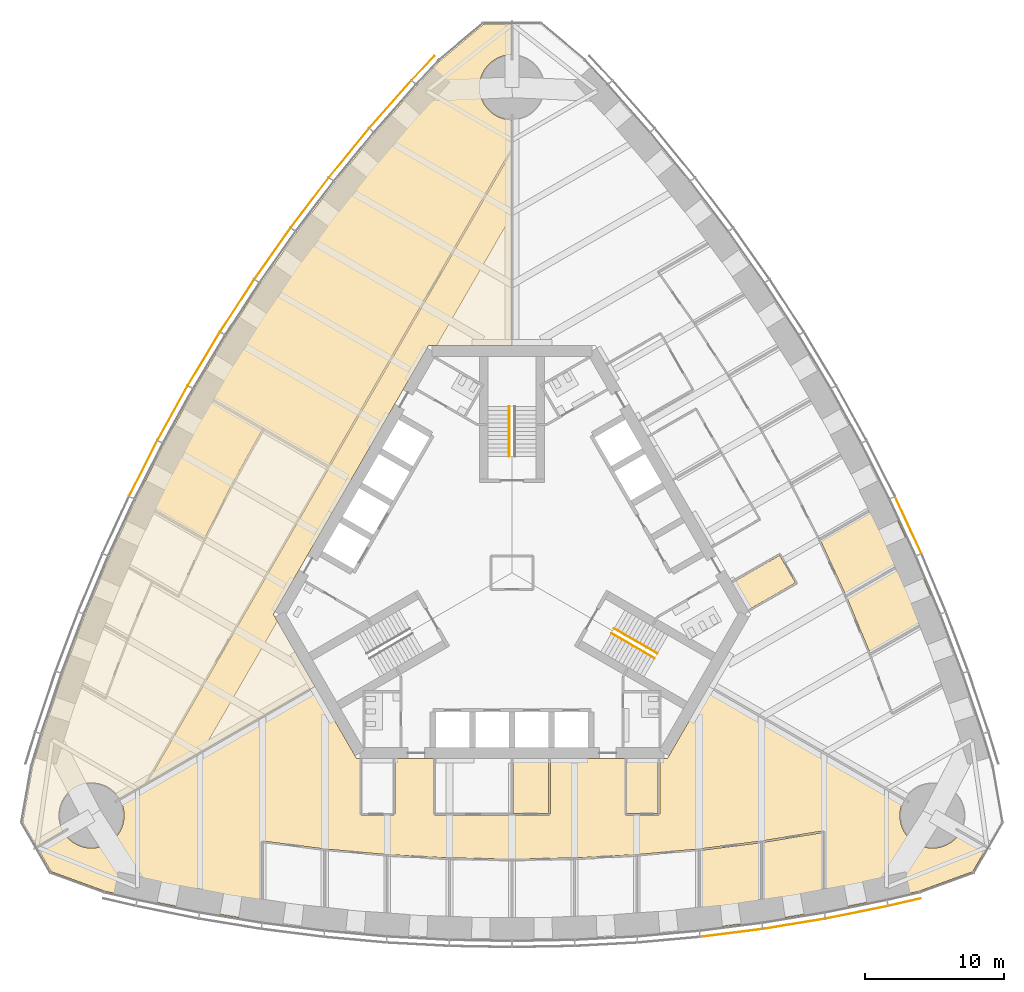
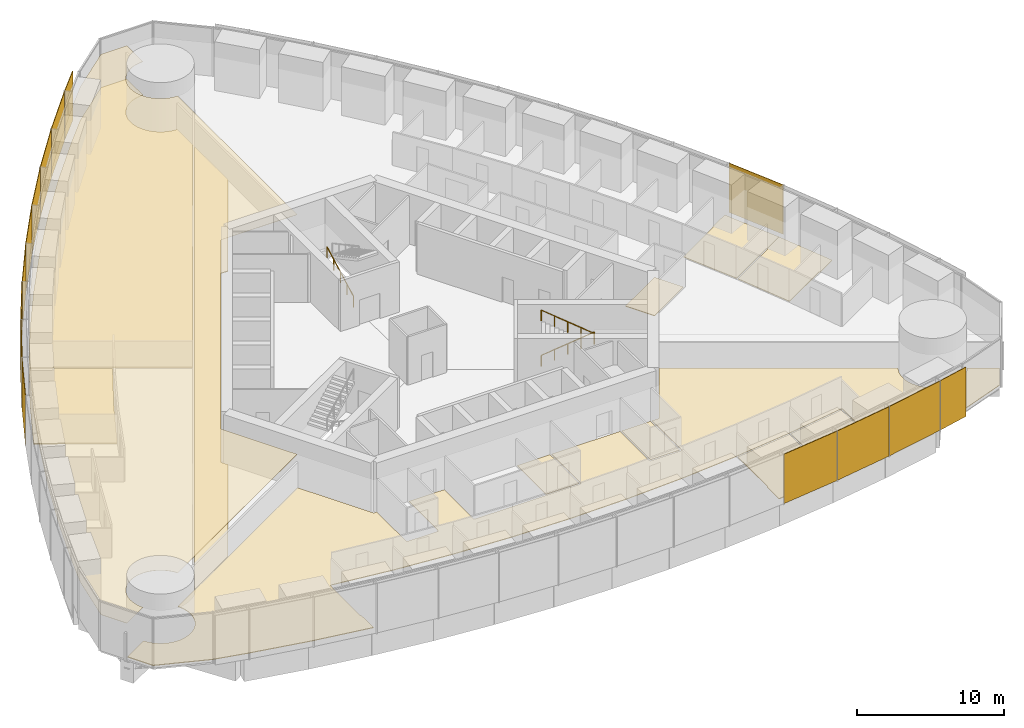
# One storey, part 17 of 20: 14 shading devices, 12 coverings, 3 railings.
"""IFC4 building model written with IfcOpenShell, lengths in metres."""

from ifc_helpers import new_model, si_unit, direction, frame, origin, origin_2d, place, context, subcontext, project, spatial, polyline, rectangle, circle, outline, extrude, material, layer, layer_set, type_object, element, save


model = new_model("IFC4")

# Units and contexts
model_context = context("Model", 3, precision=1e-05, world=origin(), true_north=direction((0.0, 1.0)))
body_context = subcontext(model_context, "Body", "Model", "MODEL_VIEW")
ifc_project = project(units=[si_unit("LENGTHUNIT", "METRE"), si_unit("AREAUNIT", "SQUARE_METRE"), si_unit("VOLUMEUNIT", "CUBIC_METRE"), si_unit("PLANEANGLEUNIT", "RADIAN"), si_unit("MASSUNIT", "GRAM", prefix="KILO")], contexts=[model_context])

# Site, building, storey
site_placement = place(None, origin())
site = spatial("IfcSite", under=ifc_project, at=site_placement, CompositionType="ELEMENT")
building_placement = place(site_placement, origin())
building = spatial("IfcBuilding", under=site, at=building_placement, Name="Trefoil Bronze Tower", CompositionType="ELEMENT")
storey_placement = place(building_placement, frame((0.0, 0.0, 103.10009765625)))
storey = spatial("IfcBuildingStorey", under=building, at=storey_placement, Name="L23", CompositionType="ELEMENT", Elevation=103.10009765625)

# Shading devices
ifc_material_1 = material(Name="Perforated bronze sheet", Category="bronze")
ifc_layer_1 = layer(ifc_material_1, 0.0400390625)
ifc_layer_set_1 = layer_set([ifc_layer_1], Name="Bronze solar screen panel")
shading_device_type = type_object("IfcShadingDeviceType", Name="Bronze solar screen panel", PredefinedType="SHUTTER", material=ifc_layer_set_1)
shading_device_1_placement = place(storey_placement, frame((15.818115234375, -25.96728515625, 0.0498046875), z_axis=(0.0, 0.0, 1.0), x_axis=(0.992011554286, 0.126147041833, 0.0)))
element("IfcShadingDevice", 1, at=shading_device_1_placement, inside=storey, type_object=shading_device_type, Name="Solar screen CW-A L23 F1 bay 11", PredefinedType="SHUTTER", context=body_context, shape_type="SweptSolid", body=[
    extrude(rectangle(XDim=4.50634765625, YDim=0.0400390625, at=origin_2d()), origin(), (0.0, 0.0, 1.0), 4.10009765625),
])
shading_device_2_placement = place(storey_placement, frame((20.337646484375, -25.30859375, 0.0498046875), z_axis=(0.0, 0.0, 1.0), x_axis=(0.986759655731, 0.162189339418, 0.0)))
element("IfcShadingDevice", 2, at=shading_device_2_placement, inside=storey, type_object=shading_device_type, Name="Solar screen CW-A L23 F1 bay 12", PredefinedType="SHUTTER", context=body_context, shape_type="SweptSolid", body=[
    extrude(rectangle(XDim=4.5302734375, YDim=0.0400390625, at=origin_2d()), origin(), (0.0, 0.0, 1.0), 4.10009765625),
])
shading_device_3_placement = place(storey_placement, frame((24.85693359375, -24.480224609375, 0.0498046875), z_axis=(0.0, 0.0, 1.0), x_axis=(0.980155155547, 0.198231861853, 0.0)))
element("IfcShadingDevice", 3, at=shading_device_3_placement, inside=storey, type_object=shading_device_type, Name="Solar screen CW-A L23 F1 bay 13", PredefinedType="SHUTTER", context=body_context, shape_type="SweptSolid", body=[
    extrude(rectangle(XDim=4.56103515625, YDim=0.0400390625, at=origin_2d()), origin(), (0.0, 0.0, 1.0), 4.10009765625),
])
shading_device_4_placement = place(storey_placement, frame((28.30078125, -23.748779296875, 0.0498046875), z_axis=(0.0, 0.0, 1.0), x_axis=(0.97420444715, 0.225667222151, 0.0)))
element("IfcShadingDevice", 4, at=shading_device_4_placement, inside=storey, type_object=shading_device_type, Name="Solar screen CW-A L23 F1 bay 14", PredefinedType="SHUTTER", context=body_context, shape_type="SweptSolid", body=[
    extrude(rectangle(XDim=2.39013671875, YDim=0.0400390625, at=origin_2d()), origin(), (0.0, 0.0, 1.0), 4.10009765625),
])
shading_device_5_placement = place(storey_placement, frame((28.563720703125, 3.444580078125, 0.0498046875), z_axis=(0.0, 0.0, 1.0), x_axis=(-0.419932995871, 0.907555110712, 0.0)))
element("IfcShadingDevice", 5, at=shading_device_5_placement, inside=storey, type_object=shading_device_type, Name="Solar screen CW-A L23 F2 bay 5", PredefinedType="SHUTTER", context=body_context, shape_type="SweptSolid", body=[
    extrude(rectangle(XDim=4.48828125, YDim=0.0400390625, at=origin_2d()), origin(), (0.0, 0.0, 1.0), 4.10009765625),
])
shading_device_6_placement = place(storey_placement, frame((-6.416748046875, 36.383544921875, 0.0498046875), z_axis=(0.0, 0.0, 1.0), x_axis=(-0.682535770759, -0.730852188636, 0.0)))
element("IfcShadingDevice", 6, at=shading_device_6_placement, inside=storey, type_object=shading_device_type, Name="Solar screen CW-A L23 F3 bay 1", PredefinedType="SHUTTER", context=body_context, shape_type="SweptSolid", body=[
    extrude(rectangle(XDim=2.39013671875, YDim=0.0400390625, at=origin_2d()), origin(), (0.0, 0.0, 1.0), 4.10009765625),
])
shading_device_7_placement = place(storey_placement, frame((-8.77197265625, 33.766845703125, 0.0498046875), z_axis=(0.0, 0.0, 1.0), x_axis=(-0.661751405978, -0.749723333428, 0.0)))
element("IfcShadingDevice", 7, at=shading_device_7_placement, inside=storey, type_object=shading_device_type, Name="Solar screen CW-A L23 F3 bay 2", PredefinedType="SHUTTER", context=body_context, shape_type="SweptSolid", body=[
    extrude(rectangle(XDim=4.56103515625, YDim=0.0400390625, at=origin_2d()), origin(), (0.0, 0.0, 1.0), 4.10009765625),
])
shading_device_8_placement = place(storey_placement, frame((-11.7490234375, 30.26708984375, 0.0498046875), z_axis=(0.0, 0.0, 1.0), x_axis=(-0.633839916024, -0.773464259584, 0.0)))
element("IfcShadingDevice", 8, at=shading_device_8_placement, inside=storey, type_object=shading_device_type, Name="Solar screen CW-A L23 F3 bay 3", PredefinedType="SHUTTER", context=body_context, shape_type="SweptSolid", body=[
    extrude(rectangle(XDim=4.5302734375, YDim=0.0400390625, at=origin_2d()), origin(), (0.0, 0.0, 1.0), 4.10009765625),
])
shading_device_9_placement = place(storey_placement, frame((-14.579345703125, 26.6826171875, 0.0498046875), z_axis=(0.0, 0.0, 1.0), x_axis=(-0.605252319983, -0.796033685943, 0.0)))
element("IfcShadingDevice", 9, at=shading_device_9_placement, inside=storey, type_object=shading_device_type, Name="Solar screen CW-A L23 F3 bay 4", PredefinedType="SHUTTER", context=body_context, shape_type="SweptSolid", body=[
    extrude(rectangle(XDim=4.50634765625, YDim=0.0400390625, at=origin_2d()), origin(), (0.0, 0.0, 1.0), 4.10009765625),
])
shading_device_10_placement = place(storey_placement, frame((-17.264892578125, 23.014404296875, 0.0498046875), z_axis=(0.0, 0.0, 1.0), x_axis=(-0.575999283275, -0.817450197667, 0.0)))
element("IfcShadingDevice", 10, at=shading_device_10_placement, inside=storey, type_object=shading_device_type, Name="Solar screen CW-A L23 F3 bay 5", PredefinedType="SHUTTER", context=body_context, shape_type="SweptSolid", body=[
    extrude(rectangle(XDim=4.48828125, YDim=0.0400390625, at=origin_2d()), origin(), (0.0, 0.0, 1.0), 4.10009765625),
])
shading_device_11_placement = place(storey_placement, frame((-19.8076171875, 19.263916015625, 0.0498046875), z_axis=(0.0, 0.0, 1.0), x_axis=(-0.546088612237, -0.837727418427, 0.0)))
element("IfcShadingDevice", 11, at=shading_device_11_placement, inside=storey, type_object=shading_device_type, Name="Solar screen CW-A L23 F3 bay 6", PredefinedType="SHUTTER", context=body_context, shape_type="SweptSolid", body=[
    extrude(rectangle(XDim=4.4765625, YDim=0.0400390625, at=origin_2d()), origin(), (0.0, 0.0, 1.0), 4.10009765625),
])
for number, where, z_axis, x_axis, name in (
    (12, (-22.208740234375, 15.431396484375, 0.0498046875), (0.0, 0.0, 1.0), (-0.515525413486, -0.856874289526, 0.0), "Solar screen CW-A L23 F3 bay 7"),
    (13, (-24.468505859375, 11.517578125, 0.0498046875), (0.0, 0.0, 1.0), (-0.484312195836, -0.874895249138, 0.0), "Solar screen CW-A L23 F3 bay 8"),
):
    element("IfcShadingDevice", number, at=place(storey_placement, frame(where, z_axis=z_axis, x_axis=x_axis)), inside=storey, type_object=shading_device_type, Name=name, PredefinedType="SHUTTER", context=body_context, shape_type="SweptSolid", body=[
        extrude(rectangle(XDim=4.470703125, YDim=0.0400390625, at=origin_2d()), origin(), (0.0, 0.0, 1.0), 4.10009765625),
    ])
shading_device_12_placement = place(storey_placement, frame((-26.5869140625, 7.52197265625, 0.0498046875), z_axis=(0.0, 0.0, 1.0), x_axis=(-0.452448919686, -0.891790320128, 0.0)))
element("IfcShadingDevice", 14, at=shading_device_12_placement, inside=storey, type_object=shading_device_type, Name="Solar screen CW-A L23 F3 bay 9", PredefinedType="SHUTTER", context=body_context, shape_type="SweptSolid", body=[
    extrude(rectangle(XDim=4.4765625, YDim=0.0400390625, at=origin_2d()), origin(), (0.0, 0.0, 1.0), 4.10009765625),
])

# Railings
ifc_material_2 = material(Name="Steel handrail", Category="steel")
railing_type = type_object("IfcRailingType", Name="Handrail 900", PredefinedType="HANDRAIL", material=ifc_material_2)
railing_1_placement = place(storey_placement, frame((7.365966796875, -4.021728515625, 0.161376953125)))
element("IfcRailing", 15, at=railing_1_placement, inside=storey, type_object=railing_type, Name="Handrail ST1 flight 1 L23", PredefinedType="HANDRAIL", context=body_context, shape_type="SweptSolid", body=[
    extrude(circle(Radius=0.02392578125, at=origin_2d()), frame((0.0, 0.0, 0.8759765625), z_axis=(0.76250339821, -0.440245697338, 0.474101564745), x_axis=(0.500012057535, 0.866018442252, 0.0)), (0.0, 0.0, 1.0), 4.088623046875),
    extrude(circle(Radius=0.02099609375, at=origin_2d()), origin(), (0.0, 0.0, 1.0), 0.851806640625),
    extrude(circle(Radius=0.02099609375, at=origin_2d()), frame((0.779296875, -0.449951171875, 0.484619140625)), (0.0, 0.0, 1.0), 0.851806640625),
    extrude(circle(Radius=0.02099609375, at=origin_2d()), frame((1.558837890625, -0.89990234375, 0.96923828125)), (0.0, 0.0, 1.0), 0.851806640625),
    extrude(circle(Radius=0.02099609375, at=origin_2d()), frame((2.33837890625, -1.35009765625, 1.453857421875)), (0.0, 0.0, 1.0), 0.851806640625),
    extrude(circle(Radius=0.02099609375, at=origin_2d()), frame((3.11767578125, -1.800048828125, 1.9384765625)), (0.0, 0.0, 1.0), 0.851806640625),
])
railing_2_placement = place(storey_placement, frame((10.28369140625, -6.168212890625, 2.261474609375)))
element("IfcRailing", 16, at=railing_2_placement, inside=storey, type_object=railing_type, Name="Handrail ST1 flight 2 L23", PredefinedType="HANDRAIL", context=body_context, shape_type="SweptSolid", body=[
    extrude(circle(Radius=0.02392578125, at=origin_2d()), frame((0.0, 0.0, 0.8759765625), z_axis=(-0.76250339821, 0.440245697338, 0.474101564745), x_axis=(-0.500012057535, -0.866018442252, 0.0)), (0.0, 0.0, 1.0), 4.088623046875),
    extrude(circle(Radius=0.02099609375, at=origin_2d()), origin(), (0.0, 0.0, 1.0), 0.851806640625),
    extrude(circle(Radius=0.02099609375, at=origin_2d()), frame((-0.779296875, 0.449951171875, 0.484619140625)), (0.0, 0.0, 1.0), 0.851806640625),
    extrude(circle(Radius=0.02099609375, at=origin_2d()), frame((-1.558837890625, 0.89990234375, 0.96923828125)), (0.0, 0.0, 1.0), 0.851806640625),
    extrude(circle(Radius=0.02099609375, at=origin_2d()), frame((-2.33837890625, 1.35009765625, 1.453857421875)), (0.0, 0.0, 1.0), 0.851806640625),
    extrude(circle(Radius=0.02099609375, at=origin_2d()), frame((-3.11767578125, 1.800048828125, 1.9384765625)), (0.0, 0.0, 1.0), 0.851806640625),
])
railing_3_placement = place(storey_placement, frame((-0.199951171875, 8.389892578125, 0.161376953125)))
element("IfcRailing", 17, at=railing_3_placement, inside=storey, type_object=railing_type, Name="Handrail ST2 flight 1 L23", PredefinedType="HANDRAIL", context=body_context, shape_type="SweptSolid", body=[
    extrude(circle(Radius=0.02392578125, at=origin_2d()), frame((0.0, 0.0, 0.8759765625), z_axis=(0.0, 0.880474934443, 0.474092701714), x_axis=(-1.0, 0.0, 0.0)), (0.0, 0.0, 1.0), 4.0888671875),
    extrude(circle(Radius=0.02099609375, at=origin_2d()), origin(), (0.0, 0.0, 1.0), 0.851806640625),
    extrude(circle(Radius=0.02099609375, at=origin_2d()), frame((0.0, 0.89990234375, 0.484619140625)), (0.0, 0.0, 1.0), 0.851806640625),
    extrude(circle(Radius=0.02099609375, at=origin_2d()), frame((0.0, 1.800048828125, 0.96923828125)), (0.0, 0.0, 1.0), 0.851806640625),
    extrude(circle(Radius=0.02099609375, at=origin_2d()), frame((0.0, 2.7001953125, 1.453857421875)), (0.0, 0.0, 1.0), 0.851806640625),
    extrude(circle(Radius=0.02099609375, at=origin_2d()), frame((0.0, 3.60009765625, 1.9384765625)), (0.0, 0.0, 1.0), 0.851806640625),
])

# Coverings
ifc_material_3 = material(Name="Acoustic ceiling panels", Category="mineral fibre")
ifc_layer_2 = layer(ifc_material_3, 0.02001953125)
ifc_layer_set_2 = layer_set([ifc_layer_2], Name="Office ceiling 20")
covering_type_1 = type_object("IfcCoveringType", Name="Office ceiling 20", PredefinedType="CEILING", material=ifc_layer_set_2)
covering_1_placement = place(storey_placement, frame((0.0, 0.0, 2.89990234375)))
element("IfcCovering", 18, at=covering_1_placement, inside=storey, type_object=covering_type_1, Name="Ceiling L23 Secretarial area F3", PredefinedType="CEILING", context=body_context, shape_type="SweptSolid", body=[
    extrude(outline(polyline([(-33.847900390625, -11.634765625), (-32.385986328125, -7.28271484375), (-30.776611328125, -3.015625), (-29.022216796875, 1.16748046875), (-27.124755859375, 5.268310546875), (-25.085693359375, 9.287109375), (-22.906005859375, 13.224853515625), (-20.585693359375, 17.081298828125), (-18.124755859375, 20.856689453125), (-15.522216796875, 24.55029296875), (-12.776611328125, 28.1611328125), (-9.885986328125, 31.6884765625), (-6.847900390625, 35.130615234375), (-5.1962890625, 36.8994140625), (-2.052001953125, 39.53759765625), (-0.014892578125, 39.53759765625), (-0.013916015625, 37.349609375), (-0.115234375, 37.34716796875), (-0.230224609375, 37.338623046875), (-0.3447265625, 37.32470703125), (-0.45849609375, 37.3046875), (-0.571044921875, 37.279541015625), (-0.68212890625, 37.248779296875), (-0.791748046875, 37.212646484375), (-0.8994140625, 37.171142578125), (-1.0048828125, 37.12451171875), (-1.10791015625, 37.072509765625), (-1.2080078125, 37.015625), (-1.3056640625, 36.9541015625), (-1.39990234375, 36.887451171875), (-1.49072265625, 36.816650390625), (-1.578125, 36.7412109375), (-1.66162109375, 36.66162109375), (-1.7412109375, 36.578125), (-1.816650390625, 36.49072265625), (-1.887451171875, 36.39990234375), (-1.9541015625, 36.3056640625), (-2.015625, 36.2080078125), (-2.072509765625, 36.10791015625), (-2.12451171875, 36.0048828125), (-2.171142578125, 35.8994140625), (-2.212646484375, 35.791748046875), (-2.248779296875, 35.68212890625), (-2.279541015625, 35.571044921875), (-2.3046875, 35.45849609375), (-2.32470703125, 35.3447265625), (-2.338623046875, 35.230224609375), (-2.34716796875, 35.115234375), (-2.35009765625, 35.0), (-2.34716796875, 34.884765625), (-2.338623046875, 34.769775390625), (-2.32470703125, 34.6552734375), (-2.3046875, 34.54150390625), (-2.279541015625, 34.428955078125), (-2.248779296875, 34.31787109375), (-2.212646484375, 34.208251953125), (-2.171142578125, 34.1005859375), (-2.12451171875, 33.9951171875), (-2.072509765625, 33.89208984375), (-2.015625, 33.7919921875), (-1.9541015625, 33.6943359375), (-1.887451171875, 33.60009765625), (-1.816650390625, 33.50927734375), (-1.7412109375, 33.421875), (-1.66162109375, 33.33837890625), (-1.578125, 33.2587890625), (-1.49072265625, 33.183349609375), (-1.39990234375, 33.112548828125), (-1.3056640625, 33.0458984375), (-1.2080078125, 32.984375), (-1.10791015625, 32.927490234375), (-1.0048828125, 32.87548828125), (-0.8994140625, 32.828857421875), (-0.791748046875, 32.787353515625), (-0.68212890625, 32.751220703125), (-0.571044921875, 32.720458984375), (-0.45849609375, 32.6953125), (-0.3447265625, 32.67529296875), (-0.230224609375, 32.661376953125), (-0.115234375, 32.65283203125), (-0.01220703125, 32.650390625), (-0.006103515625, 16.39990234375), (-6.00439453125, 16.39990234375), (-17.205078125, -3.0), (-14.205810546875, -8.194580078125), (-28.2822265625, -16.314697265625), (-28.295166015625, -16.2919921875), (-28.35693359375, -16.1943359375), (-28.42333984375, -16.10009765625), (-28.494384765625, -16.00927734375), (-28.569580078125, -15.921875), (-28.649169921875, -15.83837890625), (-28.732666015625, -15.7587890625), (-28.820068359375, -15.683349609375), (-28.910888671875, -15.612548828125), (-29.00537109375, -15.5458984375), (-29.102783203125, -15.484375), (-29.203125, -15.427490234375), (-29.30615234375, -15.37548828125), (-29.41162109375, -15.328857421875), (-29.519287109375, -15.287353515625), (-29.628662109375, -15.251220703125), (-29.739990234375, -15.220458984375), (-29.852294921875, -15.1953125), (-29.966064453125, -15.17529296875), (-30.08056640625, -15.161376953125), (-30.195556640625, -15.15283203125), (-30.310791015625, -15.14990234375), (-30.42626953125, -15.15283203125), (-30.541259765625, -15.161376953125), (-30.65576171875, -15.17529296875), (-30.769287109375, -15.1953125), (-30.8818359375, -15.220458984375), (-30.9931640625, -15.251220703125), (-31.1025390625, -15.287353515625), (-31.210205078125, -15.328857421875), (-31.315673828125, -15.37548828125), (-31.418701171875, -15.427490234375), (-31.51904296875, -15.484375), (-31.616455078125, -15.5458984375), (-31.710693359375, -15.612548828125), (-31.8017578125, -15.683349609375), (-31.88916015625, -15.7587890625), (-31.97265625, -15.83837890625), (-32.052001953125, -15.921875), (-32.12744140625, -16.00927734375), (-32.198486328125, -16.10009765625), (-32.264892578125, -16.1943359375), (-32.32666015625, -16.2919921875), (-32.38330078125, -16.39208984375), (-32.435302734375, -16.4951171875), (-32.48193359375, -16.6005859375), (-32.5234375, -16.708251953125), (-32.559814453125, -16.81787109375), (-32.590576171875, -16.928955078125), (-32.61572265625, -17.04150390625), (-32.635498046875, -17.1552734375), (-32.649658203125, -17.269775390625), (-32.658203125, -17.384765625), (-32.660888671875, -17.5), (-32.658203125, -17.615234375), (-32.649658203125, -17.730224609375), (-32.635498046875, -17.8447265625), (-32.61572265625, -17.95849609375), (-32.590576171875, -18.071044921875), (-32.559814453125, -18.18212890625), (-32.5234375, -18.291748046875), (-32.48193359375, -18.3994140625), (-32.435302734375, -18.5048828125), (-32.38330078125, -18.60791015625), (-32.352294921875, -18.66259765625), (-34.247802734375, -19.755859375), (-35.2666015625, -17.99169921875), (-34.5537109375, -13.94970703125), (-33.847900390625, -11.634765625)])), origin(), (0.0, 0.0, 1.0), 0.02001953125),
])
ifc_material_4 = material(Name="Raised access floor panels", Category="steel")
ifc_layer_3 = layer(ifc_material_4, 0.050048828125)
ifc_layer_set_3 = layer_set([ifc_layer_3], Name="Raised access floor 150")
covering_type_2 = type_object("IfcCoveringType", Name="Raised access floor 150", PredefinedType="FLOORING", material=ifc_layer_set_3)
covering_2_placement = place(storey_placement, frame((0.0, 0.0, 0.099853515625)))
element("IfcCovering", 19, at=covering_2_placement, inside=storey, type_object=covering_type_2, Name="Raised floor L23 Pantry F1", PredefinedType="FLOORING", context=body_context, shape_type="SweptSolid", body=[
    extrude(outline(polyline([(2.639892578125, -13.39990234375), (2.639892578125, -17.340087890625), (0.06005859375, -17.340087890625), (0.06005859375, -13.39990234375), (2.639892578125, -13.39990234375)])), origin(), (0.0, 0.0, 1.0), 0.050048828125),
])
covering_3_placement = place(storey_placement, frame((0.0, 0.0, 0.099853515625)))
element("IfcCovering", 20, at=covering_3_placement, inside=storey, type_object=covering_type_2, Name="Raised floor L23 Print and store room F1", PredefinedType="FLOORING", context=body_context, shape_type="SweptSolid", body=[
    extrude(outline(polyline([(10.5400390625, -13.39990234375), (10.5400390625, -17.340087890625), (8.260009765625, -17.340087890625), (8.260009765625, -13.39990234375), (10.5400390625, -13.39990234375)])), origin(), (0.0, 0.0, 1.0), 0.050048828125),
])
covering_4_placement = place(storey_placement, frame((0.0, 0.0, 0.099853515625)))
element("IfcCovering", 21, at=covering_4_placement, inside=storey, type_object=covering_type_2, Name="Raised floor L23 Office F1", PredefinedType="FLOORING", context=body_context, shape_type="SweptSolid", body=[
    extrude(outline(polyline([(18.0, -25.1455078125), (13.5, -25.7177734375), (13.5, -24.078125), (13.56005859375, -24.078125), (13.56005859375, -20.020751953125), (17.93994140625, -19.463623046875), (17.93994140625, -23.49853515625), (18.0, -23.49853515625), (18.0, -25.1455078125)])), origin(), (0.0, 0.0, 1.0), 0.050048828125),
])
covering_5_placement = place(storey_placement, frame((0.0, 0.0, 0.099853515625)))
element("IfcCovering", 22, at=covering_5_placement, inside=storey, type_object=covering_type_2, Name="Raised floor L23 Office F1", PredefinedType="FLOORING", context=body_context, shape_type="SweptSolid", body=[
    extrude(outline(polyline([(22.5, -24.406005859375), (18.0, -25.1455078125), (18.0, -23.49853515625), (18.06005859375, -23.49853515625), (18.06005859375, -19.446533203125), (22.43994140625, -18.7265625), (22.43994140625, -22.748779296875), (22.5, -22.748779296875), (22.5, -24.406005859375)])), origin(), (0.0, 0.0, 1.0), 0.050048828125),
])
covering_6_placement = place(storey_placement, frame((0.0, 0.0, 0.099853515625)))
element("IfcCovering", 23, at=covering_6_placement, inside=storey, type_object=covering_type_2, Name="Raised floor L23 Secretarial area F1", PredefinedType="FLOORING", context=body_context, shape_type="SweptSolid", body=[
    extrude(outline(polyline([(-11.20068359375, -13.39990234375), (-10.9599609375, -13.39990234375), (-10.9599609375, -17.39990234375), (-10.89990234375, -17.39990234375), (-10.89990234375, -17.4599609375), (-8.5, -17.4599609375), (-8.5, -17.39990234375), (-8.43994140625, -17.39990234375), (-8.43994140625, -13.39990234375), (-5.659912109375, -13.39990234375), (-5.659912109375, -17.39990234375), (-5.60009765625, -17.39990234375), (-5.60009765625, -17.4599609375), (2.699951171875, -17.4599609375), (2.699951171875, -17.39990234375), (2.760009765625, -17.39990234375), (2.760009765625, -13.39990234375), (8.139892578125, -13.39990234375), (8.139892578125, -17.39990234375), (8.199951171875, -17.39990234375), (8.199951171875, -17.4599609375), (10.60009765625, -17.4599609375), (10.60009765625, -17.39990234375), (10.659912109375, -17.39990234375), (10.659912109375, -13.39990234375), (11.20068359375, -13.39990234375), (14.19970703125, -8.205322265625), (28.270263671875, -16.3359375), (28.23828125, -16.39208984375), (28.1865234375, -16.4951171875), (28.139892578125, -16.6005859375), (28.098388671875, -16.708251953125), (28.06201171875, -16.81787109375), (28.03125, -16.928955078125), (28.006103515625, -17.04150390625), (27.986328125, -17.1552734375), (27.97216796875, -17.269775390625), (27.963623046875, -17.384765625), (27.9609375, -17.5), (27.963623046875, -17.615234375), (27.97216796875, -17.730224609375), (27.986328125, -17.8447265625), (28.006103515625, -17.95849609375), (28.03125, -18.071044921875), (28.06201171875, -18.18212890625), (28.098388671875, -18.291748046875), (28.139892578125, -18.3994140625), (28.1865234375, -18.5048828125), (28.23828125, -18.60791015625), (28.295166015625, -18.7080078125), (28.35693359375, -18.8056640625), (28.42333984375, -18.89990234375), (28.494384765625, -18.99072265625), (28.569580078125, -19.078125), (28.649169921875, -19.16162109375), (28.732666015625, -19.2412109375), (28.820068359375, -19.316650390625), (28.910888671875, -19.387451171875), (29.00537109375, -19.4541015625), (29.102783203125, -19.515625), (29.203125, -19.572509765625), (29.30615234375, -19.62451171875), (29.41162109375, -19.671142578125), (29.519287109375, -19.712646484375), (29.628662109375, -19.748779296875), (29.739990234375, -19.779541015625), (29.852294921875, -19.8046875), (29.966064453125, -19.82470703125), (30.08056640625, -19.838623046875), (30.195556640625, -19.84716796875), (30.310791015625, -19.85009765625), (30.42626953125, -19.84716796875), (30.541259765625, -19.838623046875), (30.65576171875, -19.82470703125), (30.769287109375, -19.8046875), (30.8818359375, -19.779541015625), (30.9931640625, -19.748779296875), (31.1025390625, -19.712646484375), (31.210205078125, -19.671142578125), (31.315673828125, -19.62451171875), (31.418701171875, -19.572509765625), (31.51904296875, -19.515625), (31.616455078125, -19.4541015625), (31.710693359375, -19.387451171875), (31.8017578125, -19.316650390625), (31.88916015625, -19.2412109375), (31.97265625, -19.16162109375), (32.052001953125, -19.078125), (32.12744140625, -18.99072265625), (32.198486328125, -18.89990234375), (32.264892578125, -18.8056640625), (32.338623046875, -18.68701171875), (34.233154296875, -19.781494140625), (33.21435546875, -21.5458984375), (29.357666015625, -22.94970703125), (27.0, -23.495849609375), (22.5, -24.406005859375), (22.5, -22.748779296875), (22.56005859375, -22.748779296875), (22.56005859375, -18.656005859375), (22.5, -18.656005859375), (22.490234375, -18.5966796875), (17.9912109375, -19.336181640625), (13.493408203125, -19.908203125), (8.99560546875, -20.315185546875), (4.497802734375, -20.55859375), (0.0, -20.6396484375), (-4.497802734375, -20.55859375), (-8.99560546875, -20.315185546875), (-13.493408203125, -19.908203125), (-17.992431640625, -19.3359375), (-18.0, -19.3955078125), (-18.06005859375, -19.3955078125), (-18.06005859375, -23.49853515625), (-18.0, -23.49853515625), (-18.0, -25.1455078125), (-22.5, -24.406005859375), (-27.0, -23.495849609375), (-29.357666015625, -22.94970703125), (-33.21435546875, -21.5458984375), (-34.233154296875, -19.781494140625), (-32.338623046875, -18.68701171875), (-32.264892578125, -18.8056640625), (-32.198486328125, -18.89990234375), (-32.12744140625, -18.99072265625), (-32.052001953125, -19.078125), (-31.97265625, -19.16162109375), (-31.88916015625, -19.2412109375), (-31.8017578125, -19.316650390625), (-31.710693359375, -19.387451171875), (-31.616455078125, -19.4541015625), (-31.51904296875, -19.515625), (-31.418701171875, -19.572509765625), (-31.315673828125, -19.62451171875), (-31.210205078125, -19.671142578125), (-31.1025390625, -19.712646484375), (-30.9931640625, -19.748779296875), (-30.8818359375, -19.779541015625), (-30.769287109375, -19.8046875), (-30.65576171875, -19.82470703125), (-30.541259765625, -19.838623046875), (-30.42626953125, -19.84716796875), (-30.310791015625, -19.85009765625), (-30.195556640625, -19.84716796875), (-30.08056640625, -19.838623046875), (-29.966064453125, -19.82470703125), (-29.852294921875, -19.8046875), (-29.739990234375, -19.779541015625), (-29.628662109375, -19.748779296875), (-29.519287109375, -19.712646484375), (-29.41162109375, -19.671142578125), (-29.30615234375, -19.62451171875), (-29.203125, -19.572509765625), (-29.102783203125, -19.515625), (-29.00537109375, -19.4541015625), (-28.910888671875, -19.387451171875), (-28.820068359375, -19.316650390625), (-28.732666015625, -19.2412109375), (-28.649169921875, -19.16162109375), (-28.569580078125, -19.078125), (-28.494384765625, -18.99072265625), (-28.42333984375, -18.89990234375), (-28.35693359375, -18.8056640625), (-28.295166015625, -18.7080078125), (-28.23828125, -18.60791015625), (-28.1865234375, -18.5048828125), (-28.139892578125, -18.3994140625), (-28.098388671875, -18.291748046875), (-28.06201171875, -18.18212890625), (-28.03125, -18.071044921875), (-28.006103515625, -17.95849609375), (-27.986328125, -17.8447265625), (-27.97216796875, -17.730224609375), (-27.963623046875, -17.615234375), (-27.9609375, -17.5), (-27.963623046875, -17.384765625), (-27.97216796875, -17.269775390625), (-27.986328125, -17.1552734375), (-28.006103515625, -17.04150390625), (-28.03125, -16.928955078125), (-28.06201171875, -16.81787109375), (-28.098388671875, -16.708251953125), (-28.139892578125, -16.6005859375), (-28.1865234375, -16.4951171875), (-28.23828125, -16.39208984375), (-28.270263671875, -16.3359375), (-14.19970703125, -8.205322265625), (-11.20068359375, -13.39990234375)])), origin(), (0.0, 0.0, 1.0), 0.050048828125),
])
covering_7_placement = place(storey_placement, frame((0.0, 0.0, 0.099853515625)))
element("IfcCovering", 24, at=covering_7_placement, inside=storey, type_object=covering_type_2, Name="Raised floor L23 Team room F2", PredefinedType="FLOORING", context=body_context, shape_type="SweptSolid", body=[
    extrude(outline(polyline([(15.884765625, -0.713134765625), (19.296875, 1.2568359375), (20.43701171875, -0.7177734375), (17.024658203125, -2.687744140625), (15.884765625, -0.713134765625)])), origin(), (0.0, 0.0, 1.0), 0.050048828125),
])
covering_8_placement = place(storey_placement, frame((0.0, 0.0, 0.099853515625)))
element("IfcCovering", 25, at=covering_8_placement, inside=storey, type_object=covering_type_2, Name="Raised floor L23 Office F2", PredefinedType="FLOORING", context=body_context, shape_type="SweptSolid", body=[
    extrude(outline(polyline([(27.124755859375, 5.268310546875), (29.022216796875, 1.16748046875), (27.602294921875, 0.347900390625), (27.572509765625, 0.399658203125), (24.069580078125, -1.62255859375), (22.22265625, 2.36865234375), (25.739501953125, 4.399169921875), (25.709716796875, 4.451171875), (27.124755859375, 5.268310546875)])), origin(), (0.0, 0.0, 1.0), 0.050048828125),
])
covering_9_placement = place(storey_placement, frame((0.0, 0.0, 0.099853515625)))
element("IfcCovering", 26, at=covering_9_placement, inside=storey, type_object=covering_type_2, Name="Raised floor L23 Office F2", PredefinedType="FLOORING", context=body_context, shape_type="SweptSolid", body=[
    extrude(outline(polyline([(29.022216796875, 1.16748046875), (30.776611328125, -3.015625), (29.350341796875, -3.839111328125), (29.3203125, -3.787353515625), (25.825927734375, -5.8046875), (24.118408203125, -1.73291015625), (27.63232421875, 0.2958984375), (27.602294921875, 0.347900390625), (29.022216796875, 1.16748046875)])), origin(), (0.0, 0.0, 1.0), 0.050048828125),
])
covering_10_placement = place(storey_placement, frame((0.0, 0.0, 0.099853515625)))
element("IfcCovering", 27, at=covering_10_placement, inside=storey, type_object=covering_type_2, Name="Raised floor L23 Library F3", PredefinedType="FLOORING", context=body_context, shape_type="SweptSolid", body=[
    extrude(outline(polyline([(-25.085693359375, 9.287109375), (-22.906005859375, 13.224853515625), (-21.494384765625, 12.409912109375), (-21.531982421875, 12.344970703125), (-18.0146484375, 10.314208984375), (-20.15869140625, 6.441162109375), (-20.106201171875, 6.412109375), (-20.15966796875, 6.439208984375), (-22.170166015625, 2.476806640625), (-25.6796875, 4.503173828125), (-25.709716796875, 4.451171875), (-27.124755859375, 5.268310546875), (-25.085693359375, 9.287109375)])), origin(), (0.0, 0.0, 1.0), 0.050048828125),
])
covering_11_placement = place(storey_placement, frame((0.0, 0.0, 0.099853515625)))
element("IfcCovering", 28, at=covering_11_placement, inside=storey, type_object=covering_type_2, Name="Raised floor L23 Corridor F3", PredefinedType="FLOORING", context=body_context, shape_type="SweptSolid", body=[
    extrude(outline(polyline([(-0.011474609375, 30.38037109375), (-0.009765625, 25.783203125), (-5.427001953125, 16.39990234375), (-6.00439453125, 16.39990234375), (-17.205078125, -3.0), (-16.91650390625, -3.5), (-22.333740234375, -12.88330078125), (-26.31591796875, -15.180419921875), (-0.011474609375, 30.38037109375)])), origin(), (0.0, 0.0, 1.0), 0.050048828125),
])
covering_12_placement = place(storey_placement, frame((0.0, 0.0, 0.099853515625)))
element("IfcCovering", 29, at=covering_12_placement, inside=storey, type_object=covering_type_2, Name="Raised floor L23 Secretarial area F3", PredefinedType="FLOORING", context=body_context, shape_type="SweptSolid", body=[
    extrude(outline(polyline([(-0.115234375, 32.65283203125), (-0.01220703125, 32.650390625), (-0.011474609375, 30.488525390625), (-0.068359375, 30.521484375), (-13.22998046875, 7.72509765625), (-21.45703125, 12.474853515625), (-21.493896484375, 12.41064453125), (-22.905517578125, 13.2255859375), (-20.585693359375, 17.081298828125), (-18.124755859375, 20.856689453125), (-15.522216796875, 24.55029296875), (-12.776611328125, 28.1611328125), (-9.885986328125, 31.6884765625), (-6.847900390625, 35.130615234375), (-5.1962890625, 36.8994140625), (-2.052001953125, 39.53759765625), (-0.014892578125, 39.53759765625), (-0.013916015625, 37.349609375), (-0.115234375, 37.34716796875), (-0.230224609375, 37.338623046875), (-0.3447265625, 37.32470703125), (-0.45849609375, 37.3046875), (-0.571044921875, 37.279541015625), (-0.68212890625, 37.248779296875), (-0.791748046875, 37.212646484375), (-0.8994140625, 37.171142578125), (-1.0048828125, 37.12451171875), (-1.10791015625, 37.072509765625), (-1.2080078125, 37.015625), (-1.3056640625, 36.9541015625), (-1.39990234375, 36.887451171875), (-1.49072265625, 36.816650390625), (-1.578125, 36.7412109375), (-1.66162109375, 36.66162109375), (-1.7412109375, 36.578125), (-1.816650390625, 36.49072265625), (-1.887451171875, 36.39990234375), (-1.9541015625, 36.3056640625), (-2.015625, 36.2080078125), (-2.072509765625, 36.10791015625), (-2.12451171875, 36.0048828125), (-2.171142578125, 35.8994140625), (-2.212646484375, 35.791748046875), (-2.248779296875, 35.68212890625), (-2.279541015625, 35.571044921875), (-2.3046875, 35.45849609375), (-2.32470703125, 35.3447265625), (-2.338623046875, 35.230224609375), (-2.34716796875, 35.115234375), (-2.35009765625, 35.0), (-2.34716796875, 34.884765625), (-2.338623046875, 34.769775390625), (-2.32470703125, 34.6552734375), (-2.3046875, 34.54150390625), (-2.279541015625, 34.428955078125), (-2.248779296875, 34.31787109375), (-2.212646484375, 34.208251953125), (-2.171142578125, 34.1005859375), (-2.12451171875, 33.9951171875), (-2.072509765625, 33.89208984375), (-2.015625, 33.7919921875), (-1.9541015625, 33.6943359375), (-1.887451171875, 33.60009765625), (-1.816650390625, 33.50927734375), (-1.7412109375, 33.421875), (-1.66162109375, 33.33837890625), (-1.578125, 33.2587890625), (-1.49072265625, 33.183349609375), (-1.39990234375, 33.112548828125), (-1.3056640625, 33.0458984375), (-1.2080078125, 32.984375), (-1.10791015625, 32.927490234375), (-1.0048828125, 32.87548828125), (-0.8994140625, 32.828857421875), (-0.791748046875, 32.787353515625), (-0.68212890625, 32.751220703125), (-0.571044921875, 32.720458984375), (-0.45849609375, 32.6953125), (-0.3447265625, 32.67529296875), (-0.230224609375, 32.661376953125), (-0.115234375, 32.65283203125)])), origin(), (0.0, 0.0, 1.0), 0.050048828125),
])

save(model, "model.ifc")
